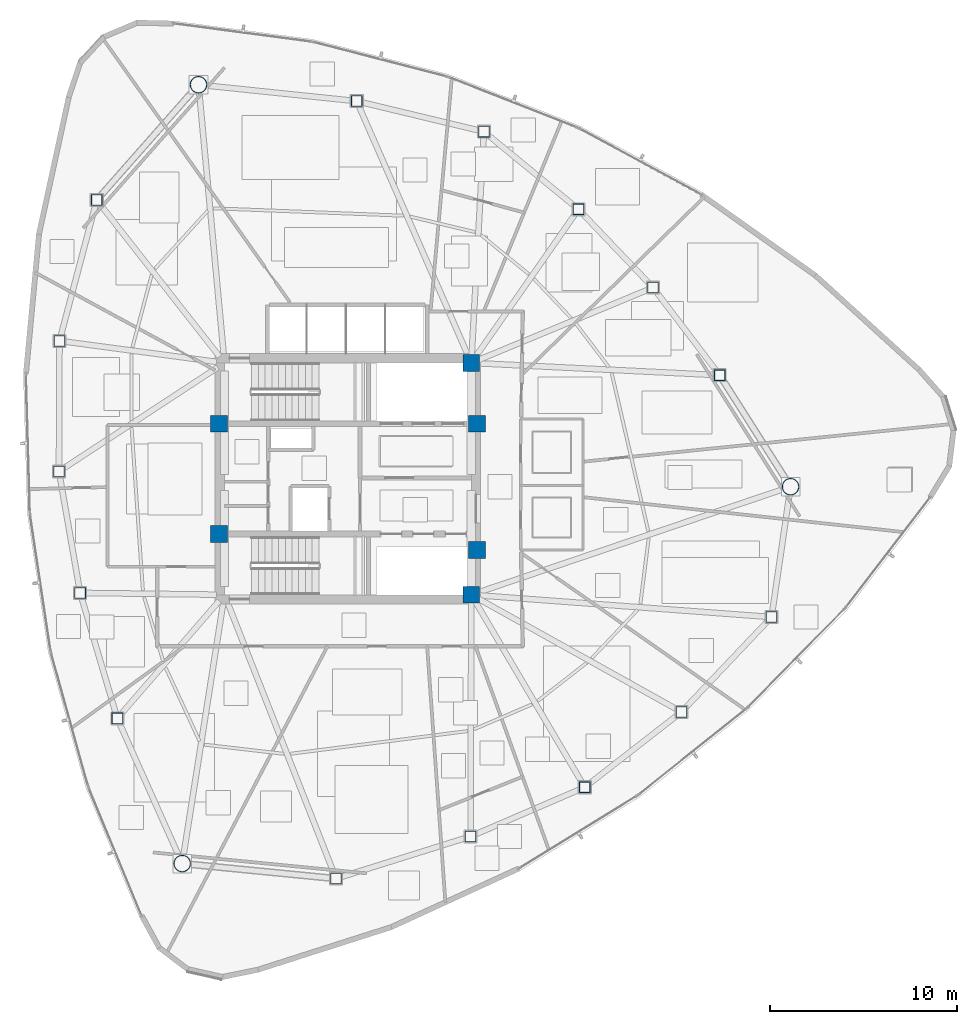
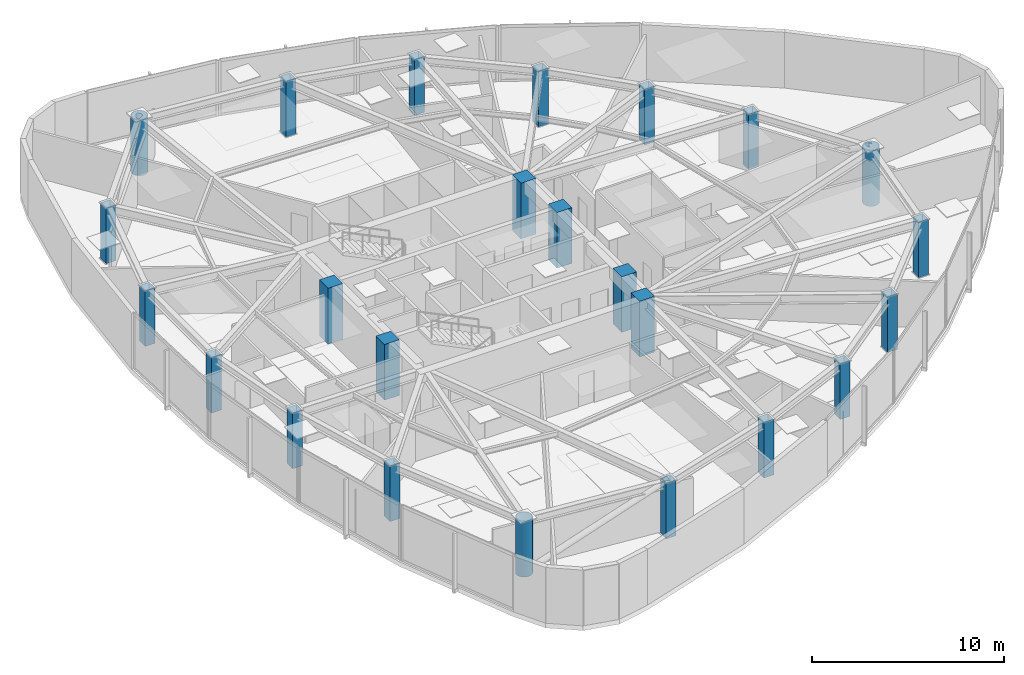
# One storey, part 1 of 18: 24 columns.
"""IFC4 building model written with IfcOpenShell, lengths in metres."""

from ifc_helpers import new_model, si_unit, direction, frame, origin, origin_2d, place, context, subcontext, project, spatial, rectangle, hollow_rectangle, hollow_circle, extrude, material, material_profile, profile_set, type_object, element, save


model = new_model("IFC4")

# Units and contexts
model_context = context("Model", 3, precision=1e-05, world=origin(), true_north=direction((0.0, 1.0)))
body_context = subcontext(model_context, "Body", "Model", "MODEL_VIEW")
ifc_project = project(units=[si_unit("LENGTHUNIT", "METRE"), si_unit("AREAUNIT", "SQUARE_METRE"), si_unit("VOLUMEUNIT", "CUBIC_METRE"), si_unit("PLANEANGLEUNIT", "RADIAN"), si_unit("MASSUNIT", "GRAM", prefix="KILO")], contexts=[model_context])

# Site, building, storey
site_placement = place(None, origin())
site = spatial("IfcSite", under=ifc_project, at=site_placement, CompositionType="ELEMENT")
building_placement = place(site_placement, origin())
building = spatial("IfcBuilding", under=site, at=building_placement, Name="Tavelor Broadcast Tower", CompositionType="ELEMENT")
storey_placement = place(building_placement, frame((0.0, 0.0, 181.050048828125)))
storey = spatial("IfcBuildingStorey", under=building, at=storey_placement, Name="L43", CompositionType="ELEMENT", Elevation=181.050048828125)

# Columns
ifc_material_1 = material(Name="Concrete C50/60", Category="concrete")
ifc_material_profile_1 = material_profile(ifc_material_1, rectangle(XDim=0.89990234375, YDim=0.89990234375, at=origin_2d()), Name="RC 900x900")
ifc_profile_set_1 = profile_set([ifc_material_profile_1], Name="Concrete C50/60")
column_type_1 = type_object("IfcColumnType", Name="Core Embedded Composite Column RC900", PredefinedType="COLUMN", material=ifc_profile_set_1)
for number, where, z_axis, x_axis, name in (
    (1, (43.10009765625, 47.949951171875, 0.0), (0.0, 0.0, 1.0), (1.0, 0.0, 0.0), "L43 Core Embedded Column 1"),
    (2, (56.89990234375, 47.949951171875, 0.0), (0.0, 0.0, 1.0), (1.0, 0.0, 0.0), "L43 Core Embedded Column 2"),
    (3, (56.60009765625, 51.199951171875, 0.0), (0.0, 0.0, 1.0), (1.0, 0.0, 0.0), "L43 Core Embedded Column 3"),
    (4, (43.10009765625, 42.050048828125, 0.0), (0.0, 0.0, 1.0), (1.0, 0.0, 0.0), "L43 Core Embedded Column 4"),
    (5, (56.89990234375, 41.199951171875, 0.0), (0.0, 0.0, 1.0), (1.0, 0.0, 0.0), "L43 Core Embedded Column 5"),
    (6, (56.60009765625, 38.800048828125, 0.0), (0.0, 0.0, 1.0), (1.0, 0.0, 0.0), "L43 Core Embedded Column 6"),
):
    element("IfcColumn", number, at=place(storey_placement, frame(where, z_axis=z_axis, x_axis=x_axis)), inside=storey, type_object=column_type_1, Name=name, PredefinedType="COLUMN", context=body_context, shape_type="SweptSolid", body=[
        extrude(rectangle(XDim=0.89990234375, YDim=0.89990234375, at=origin_2d()), origin(), (0.0, 0.0, 1.0), 3.550048828125),
    ])
ifc_material_2 = material(Name="Steel S460", Category="steel")
ifc_material_profile_2 = material_profile(ifc_material_2, hollow_rectangle(XDim=0.60009765625, YDim=0.60009765625, WallThickness=0.035888671875, at=origin_2d()), Name="SHS 600x600x36")
ifc_profile_set_2 = profile_set([ifc_material_profile_2], Name="Steel S460")
column_type_2 = type_object("IfcColumnType", Name="Perimeter Tube Column T4 SHS 600x600x36", PredefinedType="COLUMN", material=ifc_profile_set_2)
for number, where, z_axis, x_axis, name in (
    (7, (36.567626953125, 59.91064453125, 0.0), (0.0, 0.0, 1.0), (1.0, 0.0, 0.0), "L43 Perimeter Framed-Tube Column 02"),
    (8, (34.5751953125, 52.37939453125, 0.0), (0.0, 0.0, 1.0), (1.0, 0.0, 0.0), "L43 Perimeter Framed-Tube Column 03"),
    (9, (34.54638671875, 45.399169921875, 0.0), (0.0, 0.0, 1.0), (1.0, 0.0, 0.0), "L43 Perimeter Framed-Tube Column 04"),
    (10, (35.680908203125, 38.89990234375, 0.0), (0.0, 0.0, 1.0), (1.0, 0.0, 0.0), "L43 Perimeter Framed-Tube Column 05"),
    (11, (37.668212890625, 32.1904296875, 0.0), (0.0, 0.0, 1.0), (1.0, 0.0, 0.0), "L43 Perimeter Framed-Tube Column 06"),
    (12, (49.366455078125, 23.618896484375, 0.0), (0.0, 0.0, 1.0), (1.0, 0.0, 0.0), "L43 Perimeter Framed-Tube Column 08"),
    (13, (56.56103515625, 25.872802734375, 0.0), (0.0, 0.0, 1.0), (1.0, 0.0, 0.0), "L43 Perimeter Framed-Tube Column 09"),
    (14, (62.669189453125, 28.503173828125, 0.0), (0.0, 0.0, 1.0), (1.0, 0.0, 0.0), "L43 Perimeter Framed-Tube Column 10"),
    (15, (67.84228515625, 32.53173828125, 0.0), (0.0, 0.0, 1.0), (1.0, 0.0, 0.0), "L43 Perimeter Framed-Tube Column 11"),
    (16, (72.6591796875, 37.607421875, 0.0), (0.0, 0.0, 1.0), (1.0, 0.0, 0.0), "L43 Perimeter Framed-Tube Column 12"),
    (17, (69.885986328125, 50.544189453125, 0.0), (0.0, 0.0, 1.0), (1.0, 0.0, 0.0), "L43 Perimeter Framed-Tube Column 14"),
    (18, (66.322021484375, 55.228759765625, 0.0), (0.0, 0.0, 1.0), (1.0, 0.0, 0.0), "L43 Perimeter Framed-Tube Column 15"),
    (19, (62.330810546875, 59.416259765625, 0.0), (0.0, 0.0, 1.0), (1.0, 0.0, 0.0), "L43 Perimeter Framed-Tube Column 16"),
    (20, (57.276611328125, 63.568359375, 0.0), (0.0, 0.0, 1.0), (1.0, 0.0, 0.0), "L43 Perimeter Framed-Tube Column 17"),
    (21, (50.472412109375, 65.2021484375, 0.0), (0.0, 0.0, 1.0), (1.0, 0.0, 0.0), "L43 Perimeter Framed-Tube Column 18"),
):
    element("IfcColumn", number, at=place(storey_placement, frame(where, z_axis=z_axis, x_axis=x_axis)), inside=storey, type_object=column_type_2, Name=name, PredefinedType="COLUMN", context=body_context, shape_type="SweptSolid", body=[
        extrude(hollow_rectangle(XDim=0.60009765625, YDim=0.60009765625, WallThickness=0.035888671875, at=origin_2d()), origin(), (0.0, 0.0, 1.0), 3.550048828125),
    ])
ifc_material_profile_3 = material_profile(ifc_material_2, hollow_circle(Radius=0.45703125, WallThickness=0.0400390625, at=origin_2d()), Name="CHS 914x40")
ifc_profile_set_3 = profile_set([ifc_material_profile_3], Name="Steel S460")
column_type_3 = type_object("IfcColumnType", Name="Tower Mega Column T4 CHS 914x40", PredefinedType="COLUMN", material=ifc_profile_set_3)
for number, where, z_axis, x_axis, name in (
    (22, (42.01123046875, 66.080078125, 0.0), (0.0, 0.0, 1.0), (1.0, 0.0, 0.0), "L43 Tower Corner Mega Column 01"),
    (23, (41.138671875, 24.423828125, 0.0), (0.0, 0.0, 1.0), (1.0, 0.0, 0.0), "L43 Tower Corner Mega Column 07"),
    (24, (73.676025390625, 44.57958984375, 0.0), (0.0, 0.0, 1.0), (1.0, 0.0, 0.0), "L43 Tower Corner Mega Column 13"),
):
    element("IfcColumn", number, at=place(storey_placement, frame(where, z_axis=z_axis, x_axis=x_axis)), inside=storey, type_object=column_type_3, Name=name, PredefinedType="COLUMN", context=body_context, shape_type="SweptSolid", body=[
        extrude(hollow_circle(Radius=0.45703125, WallThickness=0.0400390625, at=origin_2d()), origin(), (0.0, 0.0, 1.0), 3.550048828125),
    ])

save(model, "model.ifc")
